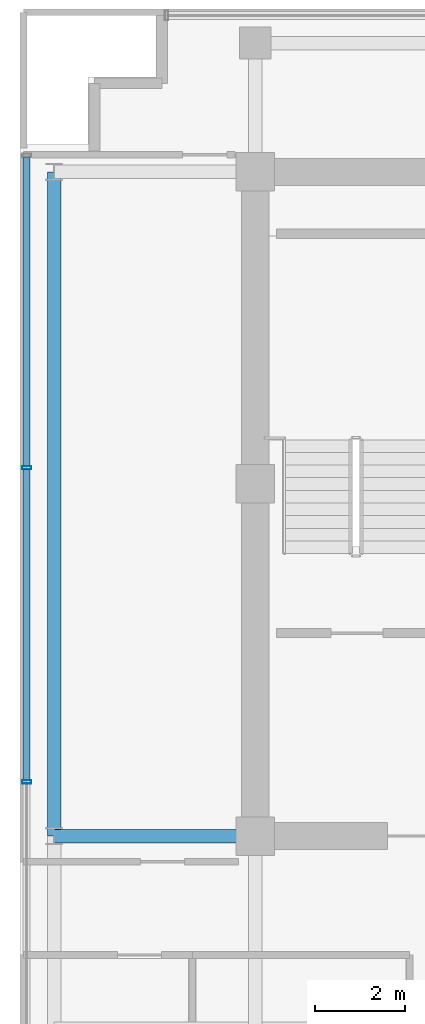
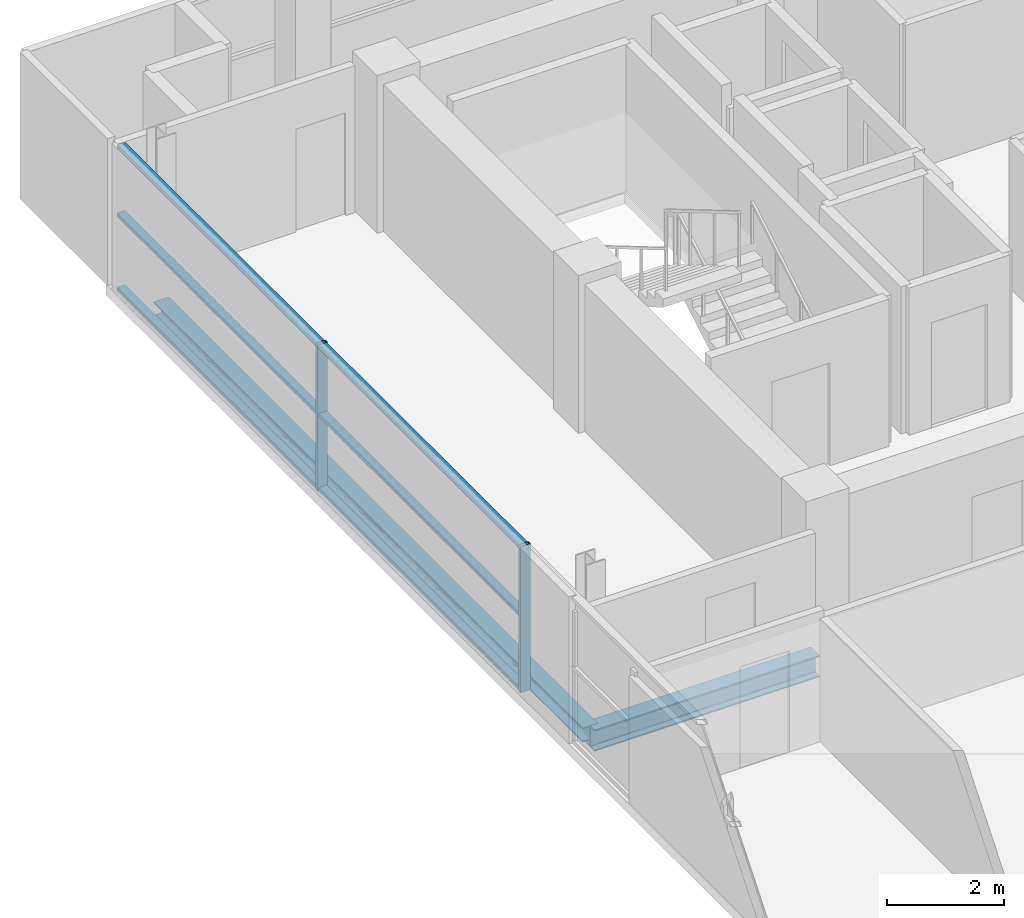
# One storey, part 7 of 22: 8 members, 2 beams, 1 element without a shape of its own.
"""IFC4 building model written with IfcOpenShell, lengths in metres."""

from ifc_helpers import new_model, si_unit, direction, frame, origin, origin_2d, place, context, subcontext, project, spatial, hollow_rectangle, i_section, extrude, source, transform, mapped, material, layer, layer_set, material_profile, profile_set, type_object, element, aggregate, save


model = new_model("IFC4")

# Units and contexts
model_context = context("Model", 3, precision=1e-05, world=origin(), true_north=direction((0.0, 1.0)))
body_context = subcontext(model_context, "Body", "Model", "MODEL_VIEW")
ifc_project = project(units=[si_unit("LENGTHUNIT", "METRE"), si_unit("AREAUNIT", "SQUARE_METRE"), si_unit("VOLUMEUNIT", "CUBIC_METRE"), si_unit("PLANEANGLEUNIT", "RADIAN"), si_unit("MASSUNIT", "GRAM", prefix="KILO")], contexts=[model_context])

# Site, building, storey
site_placement = place(None, origin())
site = spatial("IfcSite", under=ifc_project, at=site_placement, CompositionType="ELEMENT")
building_placement = place(site_placement, origin())
building = spatial("IfcBuilding", under=site, at=building_placement, Name="Zarnakvel Exchange Tower", CompositionType="ELEMENT")
storey_placement = place(building_placement, frame((0.0, 0.0, 238.60009765625)))
storey = spatial("IfcBuildingStorey", under=building, at=storey_placement, Name="L67", CompositionType="ELEMENT", Elevation=238.60009765625)

# Beams
ifc_material_1 = material(Name="Steel S355", Category="steel")
ifc_material_profile_1 = material_profile(ifc_material_1, i_section(OverallWidth=0.300048828125, OverallDepth=0.449951171875, WebThickness=0.013916015625, FlangeThickness=0.02587890625, FilletRadius=0.027099609375, at=origin_2d()))
ifc_profile_set_1 = profile_set([ifc_material_profile_1], Name="Steel S355")
beam_type_1 = type_object("IfcBeamType", Name="G-07", PredefinedType="BEAM", material=ifc_profile_set_1)
beam_1_placement = place(storey_placement, frame((-18.85009765625, -1.199951171875, -0.4501953125), z_axis=(1.0, 0.0, 0.0), x_axis=(0.0, 1.0, 0.0)))
element("IfcBeam", 1, at=beam_1_placement, inside=storey, type_object=beam_type_1, Name="L67 Tower E-W Frame Beam", PredefinedType="BEAM", context=body_context, shape_type="SweptSolid", body=[
    extrude(i_section(OverallWidth=0.300048828125, OverallDepth=0.449951171875, WebThickness=0.013916015625, FlangeThickness=0.02587890625, FilletRadius=0.027099609375, at=origin_2d()), origin(), (0.0, 0.0, 1.0), 4.4501953125),
])
ifc_material_profile_2 = material_profile(ifc_material_1, i_section(OverallWidth=0.300048828125, OverallDepth=0.300048828125, WebThickness=0.010986328125, FlangeThickness=0.01904296875, FilletRadius=0.027099609375, at=origin_2d()))
ifc_profile_set_2 = profile_set([ifc_material_profile_2], Name="Steel S355")
beam_type_2 = type_object("IfcBeamType", Name="SP-03", PredefinedType="SPANDREL", material=ifc_profile_set_2)
beam_2_placement = place(storey_placement, frame((-18.85009765625, -1.199951171875, -0.375), z_axis=(0.0, 1.0, 0.0), x_axis=(-1.0, 0.0, 0.0)))
element("IfcBeam", 2, at=beam_2_placement, inside=storey, type_object=beam_type_2, Name="L67 Tower N-S Frame Beam", PredefinedType="SPANDREL", context=body_context, shape_type="SweptSolid", body=[
    extrude(i_section(OverallWidth=0.300048828125, OverallDepth=0.300048828125, WebThickness=0.010986328125, FlangeThickness=0.01904296875, FilletRadius=0.027099609375, at=origin_2d()), origin(), (0.0, 0.0, 1.0), 14.699951171875),
])

# Curtain wall, members
ifc_material_2 = material(Name="Architectural Bronze Anodised Aluminium", Category="aluminium")
ifc_layer = layer(ifc_material_2, 0.199951171875)
ifc_layer_set = layer_set([ifc_layer], Name="Architectural Bronze Anodised Aluminium")
curtain_wall_type = type_object("IfcCurtainWallType", Name="CW-04", PredefinedType="NOTDEFINED", material=ifc_layer_set)
curtain_wall_placement = place(storey_placement, origin())
curtain_wall = element("IfcCurtainWall", 3, at=curtain_wall_placement, inside=storey, type_object=curtain_wall_type, Name="L67 Curtain Wall CW-L67-W1 (CW-04)", PredefinedType="NOTDEFINED")
ifc_material_profile_3 = material_profile(ifc_material_2, hollow_rectangle(XDim=0.199951171875, YDim=0.074951171875, WallThickness=0.0048828125, at=origin_2d()))
ifc_profile_set_3 = profile_set([ifc_material_profile_3], Name="Architectural Bronze Anodised Aluminium")
member_type_1 = type_object("IfcMemberType", Name="CWM-04", PredefinedType="MULLION", material=ifc_profile_set_3)
shared_shape_1 = source(origin(), body_context, "Body", "SweptSolid", [
    extrude(hollow_rectangle(XDim=0.199951171875, YDim=0.074951171875, WallThickness=0.0048828125, at=origin_2d()), origin(), (0.0, 0.0, 1.0), 3.054931640625),
])
member_1_placement = place(storey_placement, frame((-19.4599609375, 0.0, 0.0), z_axis=(0.0, 0.0, 1.0), x_axis=(-1.0, 0.0, 0.0)))
member_1 = element("IfcMember", 4, at=member_1_placement, type_object=member_type_1, Name="CW-04 mullion 3", PredefinedType="MULLION", context=body_context, shape_type="MappedRepresentation", body=[
    mapped(shared_shape_1, transform((0.0, 0.0, 0.0), x_axis=(1.0, 0.0, 0.0), y_axis=(0.0, 1.0, 0.0), z_axis=(0.0, 0.0, 1.0), scale=1.0)),
])
member_2_placement = place(storey_placement, frame((-19.4599609375, 6.949951171875, 0.0), z_axis=(0.0, 0.0, 1.0), x_axis=(-1.0, 0.0, 0.0)))
member_2 = element("IfcMember", 5, at=member_2_placement, type_object=member_type_1, Name="CW-04 mullion 4", PredefinedType="MULLION", context=body_context, shape_type="MappedRepresentation", body=[
    mapped(shared_shape_1, transform((0.0, 0.0, 0.0), x_axis=(1.0, 0.0, 0.0), y_axis=(0.0, 1.0, 0.0), z_axis=(0.0, 0.0, 1.0), scale=1.0)),
])
ifc_material_profile_4 = material_profile(ifc_material_2, hollow_rectangle(XDim=0.159912109375, YDim=0.074951171875, WallThickness=0.00390625, at=origin_2d()))
ifc_profile_set_4 = profile_set([ifc_material_profile_4], Name="Architectural Bronze Anodised Aluminium")
member_type_2 = type_object("IfcMemberType", Name="CWT-04", PredefinedType="USERDEFINED", material=ifc_profile_set_4)
shared_shape_2 = source(origin(), body_context, "Body", "SweptSolid", [
    extrude(hollow_rectangle(XDim=0.159912109375, YDim=0.074951171875, WallThickness=0.00390625, at=origin_2d()), origin(), (0.0, 0.0, 1.0), 6.83740234375),
])
member_3_placement = place(storey_placement, frame((-19.4599609375, 6.987548828125, 0.037353515625), z_axis=(0.0, 1.0, 0.0), x_axis=(-1.0, 0.0, 0.0)))
member_3 = element("IfcMember", 6, at=member_3_placement, type_object=member_type_2, Name="CW-04 transom 4.1", ObjectType="TRANSOM", PredefinedType="USERDEFINED", context=body_context, shape_type="MappedRepresentation", body=[
    mapped(shared_shape_2, transform((0.0, 0.0, 0.0), x_axis=(1.0, 0.0, 0.0), y_axis=(0.0, 1.0, 0.0), z_axis=(0.0, 0.0, 1.0), scale=1.0)),
])
member_4_placement = place(storey_placement, frame((-19.4599609375, 6.987548828125, 1.588623046875), z_axis=(0.0, 1.0, 0.0), x_axis=(-1.0, 0.0, 0.0)))
member_4 = element("IfcMember", 7, at=member_4_placement, type_object=member_type_2, Name="CW-04 transom 4.2", ObjectType="TRANSOM", PredefinedType="USERDEFINED", context=body_context, shape_type="MappedRepresentation", body=[
    mapped(shared_shape_2, transform((0.0, 0.0, 0.0), x_axis=(1.0, 0.0, 0.0), y_axis=(0.0, 1.0, 0.0), z_axis=(0.0, 0.0, 1.0), scale=1.0)),
])
member_5_placement = place(storey_placement, frame((-19.4599609375, 6.987548828125, 3.017333984375), z_axis=(0.0, 1.0, 0.0), x_axis=(-1.0, 0.0, 0.0)))
member_5 = element("IfcMember", 8, at=member_5_placement, type_object=member_type_2, Name="CW-04 transom 4.3", ObjectType="TRANSOM", PredefinedType="USERDEFINED", context=body_context, shape_type="MappedRepresentation", body=[
    mapped(shared_shape_2, transform((0.0, 0.0, 0.0), x_axis=(1.0, 0.0, 0.0), y_axis=(0.0, 1.0, 0.0), z_axis=(0.0, 0.0, 1.0), scale=1.0)),
])
shared_shape_3 = source(origin(), body_context, "Body", "SweptSolid", [
    extrude(hollow_rectangle(XDim=0.159912109375, YDim=0.074951171875, WallThickness=0.00390625, at=origin_2d()), origin(), (0.0, 0.0, 1.0), 6.875),
])
member_6_placement = place(storey_placement, frame((-19.4599609375, 0.03759765625, 0.037353515625), z_axis=(0.0, 1.0, 0.0), x_axis=(-1.0, 0.0, 0.0)))
member_6 = element("IfcMember", 9, at=member_6_placement, type_object=member_type_2, Name="CW-04 transom 3.1", ObjectType="TRANSOM", PredefinedType="USERDEFINED", context=body_context, shape_type="MappedRepresentation", body=[
    mapped(shared_shape_3, transform((0.0, 0.0, 0.0), x_axis=(1.0, 0.0, 0.0), y_axis=(0.0, 1.0, 0.0), z_axis=(0.0, 0.0, 1.0), scale=1.0)),
])
member_7_placement = place(storey_placement, frame((-19.4599609375, 0.03759765625, 1.588623046875), z_axis=(0.0, 1.0, 0.0), x_axis=(-1.0, 0.0, 0.0)))
member_7 = element("IfcMember", 10, at=member_7_placement, type_object=member_type_2, Name="CW-04 transom 3.2", ObjectType="TRANSOM", PredefinedType="USERDEFINED", context=body_context, shape_type="MappedRepresentation", body=[
    mapped(shared_shape_3, transform((0.0, 0.0, 0.0), x_axis=(1.0, 0.0, 0.0), y_axis=(0.0, 1.0, 0.0), z_axis=(0.0, 0.0, 1.0), scale=1.0)),
])
member_8_placement = place(storey_placement, frame((-19.4599609375, 0.03759765625, 3.017333984375), z_axis=(0.0, 1.0, 0.0), x_axis=(-1.0, 0.0, 0.0)))
member_8 = element("IfcMember", 11, at=member_8_placement, type_object=member_type_2, Name="CW-04 transom 3.3", ObjectType="TRANSOM", PredefinedType="USERDEFINED", context=body_context, shape_type="MappedRepresentation", body=[
    mapped(shared_shape_3, transform((0.0, 0.0, 0.0), x_axis=(1.0, 0.0, 0.0), y_axis=(0.0, 1.0, 0.0), z_axis=(0.0, 0.0, 1.0), scale=1.0)),
])
aggregate(curtain_wall, [member_1, member_2, member_6, member_7, member_8, member_3, member_4, member_5])

save(model, "model.ifc")
